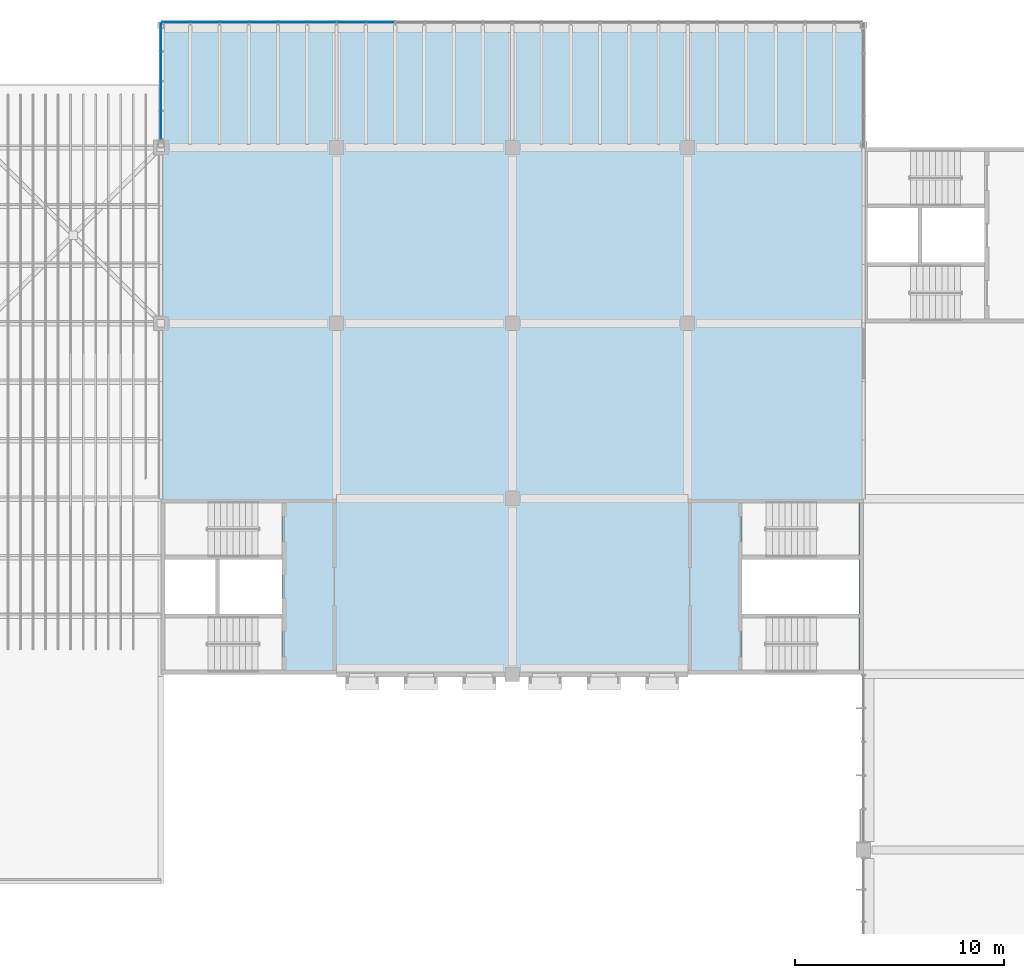
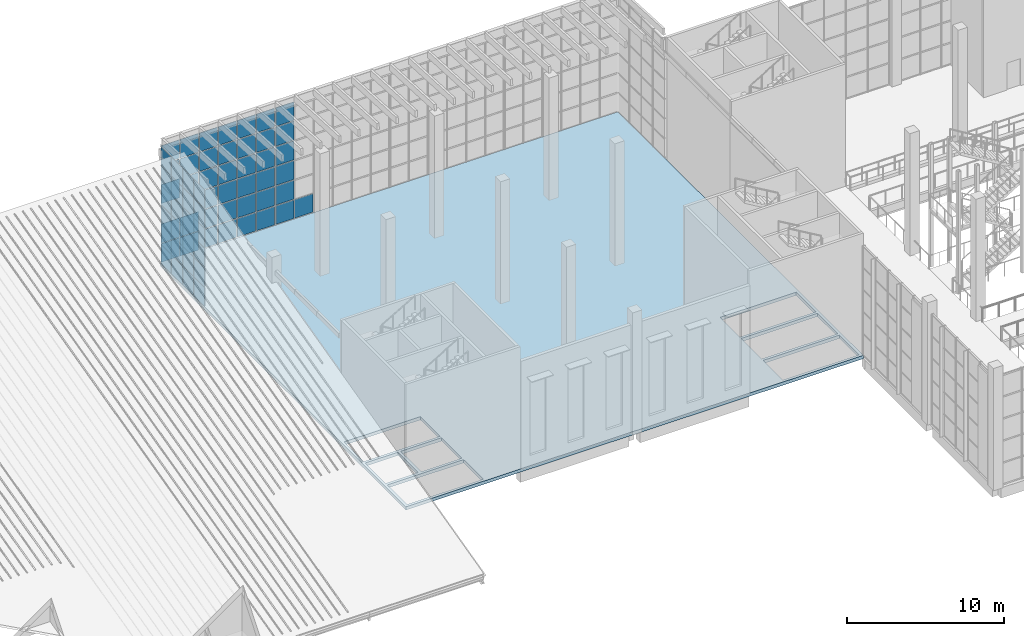
# One storey, part 32 of 114: 67 plates, 1 slab, 3 elements without a shape of their own.
"""IFC4 building model written with IfcOpenShell, lengths in metres."""

from ifc_helpers import new_model, si_unit, direction, frame, origin, origin_2d, place, context, subcontext, project, spatial, polyline, rectangle, outline, extrude, material, layer, layer_set, type_object, element, aggregate, save


model = new_model("IFC4")

# Units and contexts
model_context = context("Model", 3, precision=1e-05, world=origin(), true_north=direction((0.0, 1.0)))
body_context = subcontext(model_context, "Body", "Model", "MODEL_VIEW")
ifc_project = project(units=[si_unit("LENGTHUNIT", "METRE"), si_unit("AREAUNIT", "SQUARE_METRE"), si_unit("VOLUMEUNIT", "CUBIC_METRE"), si_unit("PLANEANGLEUNIT", "RADIAN"), si_unit("MASSUNIT", "GRAM", prefix="KILO")], contexts=[model_context])

# Site, building, storey
site_placement = place(None, origin())
site = spatial("IfcSite", under=ifc_project, at=site_placement, CompositionType="ELEMENT")
building_placement = place(site_placement, origin())
building = spatial("IfcBuilding", under=site, at=building_placement, Name="Almond Square Museum", CompositionType="ELEMENT")
storey_placement = place(building_placement, frame((0.0, 0.0, 10.5)))
storey = spatial("IfcBuildingStorey", under=building, at=storey_placement, Name="L02", CompositionType="ELEMENT", Elevation=10.5)

# Curtain wall, plates
ifc_material_1 = material(Name="Aluminium and laminated glass", Category="aluminium")
curtain_wall_type = type_object("IfcCurtainWallType", Name="Unitised curtain wall 1500 module", PredefinedType="NOTDEFINED", material=ifc_material_1)
curtain_wall_1_placement = place(storey_placement, origin())
curtain_wall_1 = element("IfcCurtainWall", 1, at=curtain_wall_1_placement, inside=storey, type_object=curtain_wall_type, Name="Curtain wall CW-23", PredefinedType="NOTDEFINED")
ifc_material_2 = material(Name="Laminated hurricane-rated glass", Category="glass")
ifc_layer_1 = layer(ifc_material_2, 0.035888671875)
ifc_layer_set_1 = layer_set([ifc_layer_1], Name="Laminated hurricane-rated glass")
plate_type = type_object("IfcPlateType", Name="Laminated glass panel 36", PredefinedType="CURTAIN_PANEL", material=ifc_layer_set_1)
plate_1_placement = place(storey_placement, frame((48.715087890625, 115.199951171875, 0.06005859375), z_axis=(0.0, 0.0, 1.0), x_axis=(1.0, 0.0, 0.0)))
plate_1 = element("IfcPlate", 2, at=plate_1_placement, type_object=plate_type, Name="CW-23 panel 1.1", PredefinedType="CURTAIN_PANEL", context=body_context, shape_type="SweptSolid", body=[
    extrude(rectangle(XDim=1.31005859375, YDim=0.035888671875, at=origin_2d()), origin(), (0.0, 0.0, 1.0), 1.437744140625),
])
plate_2_placement = place(storey_placement, frame((48.715087890625, 115.199951171875, 1.5576171875), z_axis=(0.0, 0.0, 1.0), x_axis=(1.0, 0.0, 0.0)))
plate_2 = element("IfcPlate", 3, at=plate_2_placement, type_object=plate_type, Name="CW-23 panel 1.2", PredefinedType="CURTAIN_PANEL", context=body_context, shape_type="SweptSolid", body=[
    extrude(rectangle(XDim=1.31005859375, YDim=0.035888671875, at=origin_2d()), origin(), (0.0, 0.0, 1.0), 1.4677734375),
])
plate_3_placement = place(storey_placement, frame((48.715087890625, 115.199951171875, 3.08544921875), z_axis=(0.0, 0.0, 1.0), x_axis=(1.0, 0.0, 0.0)))
plate_3 = element("IfcPlate", 4, at=plate_3_placement, type_object=plate_type, Name="CW-23 panel 1.3", PredefinedType="CURTAIN_PANEL", context=body_context, shape_type="SweptSolid", body=[
    extrude(rectangle(XDim=1.31005859375, YDim=0.035888671875, at=origin_2d()), origin(), (0.0, 0.0, 1.0), 1.4677734375),
])
plate_4_placement = place(storey_placement, frame((48.715087890625, 115.199951171875, 4.613037109375), z_axis=(0.0, 0.0, 1.0), x_axis=(1.0, 0.0, 0.0)))
plate_4 = element("IfcPlate", 5, at=plate_4_placement, type_object=plate_type, Name="CW-23 panel 1.4", PredefinedType="CURTAIN_PANEL", context=body_context, shape_type="SweptSolid", body=[
    extrude(rectangle(XDim=1.31005859375, YDim=0.035888671875, at=origin_2d()), origin(), (0.0, 0.0, 1.0), 1.4677734375),
])
plate_5_placement = place(storey_placement, frame((48.715087890625, 115.199951171875, 6.140869140625), z_axis=(0.0, 0.0, 1.0), x_axis=(1.0, 0.0, 0.0)))
plate_5 = element("IfcPlate", 6, at=plate_5_placement, type_object=plate_type, Name="CW-23 panel 1.5", PredefinedType="CURTAIN_PANEL", context=body_context, shape_type="SweptSolid", body=[
    extrude(rectangle(XDim=1.31005859375, YDim=0.035888671875, at=origin_2d()), origin(), (0.0, 0.0, 1.0), 1.4677734375),
])
plate_6_placement = place(storey_placement, frame((48.715087890625, 115.199951171875, 7.66845703125), z_axis=(0.0, 0.0, 1.0), x_axis=(1.0, 0.0, 0.0)))
plate_6 = element("IfcPlate", 7, at=plate_6_placement, type_object=plate_type, Name="CW-23 panel 1.6", PredefinedType="CURTAIN_PANEL", context=body_context, shape_type="SweptSolid", body=[
    extrude(rectangle(XDim=1.31005859375, YDim=0.035888671875, at=origin_2d()), origin(), (0.0, 0.0, 1.0), 1.437744140625),
])
plate_7_placement = place(storey_placement, frame((50.10009765625, 115.199951171875, 0.06005859375), z_axis=(0.0, 0.0, 1.0), x_axis=(1.0, 0.0, 0.0)))
plate_7 = element("IfcPlate", 8, at=plate_7_placement, type_object=plate_type, Name="CW-23 panel 2.1", PredefinedType="CURTAIN_PANEL", context=body_context, shape_type="SweptSolid", body=[
    extrude(rectangle(XDim=1.340087890625, YDim=0.035888671875, at=origin_2d()), origin(), (0.0, 0.0, 1.0), 1.437744140625),
])
aggregate(curtain_wall_1, [plate_1, plate_2, plate_3, plate_4, plate_5, plate_6, plate_7])

curtain_wall_2_placement = place(storey_placement, origin())
curtain_wall_2 = element("IfcCurtainWall", 9, at=curtain_wall_2_placement, inside=storey, type_object=curtain_wall_type, Name="Curtain wall CW-24", PredefinedType="NOTDEFINED")
plate_8_placement = place(storey_placement, frame((40.31494140625, 115.199951171875, 0.06005859375), z_axis=(0.0, 0.0, 1.0), x_axis=(1.0, 0.0, 0.0)))
plate_8 = element("IfcPlate", 10, at=plate_8_placement, type_object=plate_type, Name="CW-24 panel 1.1", PredefinedType="CURTAIN_PANEL", context=body_context, shape_type="SweptSolid", body=[
    extrude(rectangle(XDim=1.31005859375, YDim=0.035888671875, at=origin_2d()), origin(), (0.0, 0.0, 1.0), 1.437744140625),
])
plate_9_placement = place(storey_placement, frame((40.31494140625, 115.199951171875, 1.5576171875), z_axis=(0.0, 0.0, 1.0), x_axis=(1.0, 0.0, 0.0)))
plate_9 = element("IfcPlate", 11, at=plate_9_placement, type_object=plate_type, Name="CW-24 panel 1.2", PredefinedType="CURTAIN_PANEL", context=body_context, shape_type="SweptSolid", body=[
    extrude(rectangle(XDim=1.31005859375, YDim=0.035888671875, at=origin_2d()), origin(), (0.0, 0.0, 1.0), 1.4677734375),
])
plate_10_placement = place(storey_placement, frame((40.31494140625, 115.199951171875, 3.08544921875), z_axis=(0.0, 0.0, 1.0), x_axis=(1.0, 0.0, 0.0)))
plate_10 = element("IfcPlate", 12, at=plate_10_placement, type_object=plate_type, Name="CW-24 panel 1.3", PredefinedType="CURTAIN_PANEL", context=body_context, shape_type="SweptSolid", body=[
    extrude(rectangle(XDim=1.31005859375, YDim=0.035888671875, at=origin_2d()), origin(), (0.0, 0.0, 1.0), 1.4677734375),
])
plate_11_placement = place(storey_placement, frame((40.31494140625, 115.199951171875, 4.613037109375), z_axis=(0.0, 0.0, 1.0), x_axis=(1.0, 0.0, 0.0)))
plate_11 = element("IfcPlate", 13, at=plate_11_placement, type_object=plate_type, Name="CW-24 panel 1.4", PredefinedType="CURTAIN_PANEL", context=body_context, shape_type="SweptSolid", body=[
    extrude(rectangle(XDim=1.31005859375, YDim=0.035888671875, at=origin_2d()), origin(), (0.0, 0.0, 1.0), 1.4677734375),
])
plate_12_placement = place(storey_placement, frame((40.31494140625, 115.199951171875, 6.140869140625), z_axis=(0.0, 0.0, 1.0), x_axis=(1.0, 0.0, 0.0)))
plate_12 = element("IfcPlate", 14, at=plate_12_placement, type_object=plate_type, Name="CW-24 panel 1.5", PredefinedType="CURTAIN_PANEL", context=body_context, shape_type="SweptSolid", body=[
    extrude(rectangle(XDim=1.31005859375, YDim=0.035888671875, at=origin_2d()), origin(), (0.0, 0.0, 1.0), 1.4677734375),
])
plate_13_placement = place(storey_placement, frame((40.31494140625, 115.199951171875, 7.66845703125), z_axis=(0.0, 0.0, 1.0), x_axis=(1.0, 0.0, 0.0)))
plate_13 = element("IfcPlate", 15, at=plate_13_placement, type_object=plate_type, Name="CW-24 panel 1.6", PredefinedType="CURTAIN_PANEL", context=body_context, shape_type="SweptSolid", body=[
    extrude(rectangle(XDim=1.31005859375, YDim=0.035888671875, at=origin_2d()), origin(), (0.0, 0.0, 1.0), 1.437744140625),
])
plate_14_placement = place(storey_placement, frame((41.699951171875, 115.199951171875, 0.06005859375), z_axis=(0.0, 0.0, 1.0), x_axis=(1.0, 0.0, 0.0)))
plate_14 = element("IfcPlate", 16, at=plate_14_placement, type_object=plate_type, Name="CW-24 panel 2.1", PredefinedType="CURTAIN_PANEL", context=body_context, shape_type="SweptSolid", body=[
    extrude(rectangle(XDim=1.340087890625, YDim=0.035888671875, at=origin_2d()), origin(), (0.0, 0.0, 1.0), 1.437744140625),
])
plate_15_placement = place(storey_placement, frame((41.699951171875, 115.199951171875, 1.5576171875), z_axis=(0.0, 0.0, 1.0), x_axis=(1.0, 0.0, 0.0)))
plate_15 = element("IfcPlate", 17, at=plate_15_placement, type_object=plate_type, Name="CW-24 panel 2.2", PredefinedType="CURTAIN_PANEL", context=body_context, shape_type="SweptSolid", body=[
    extrude(rectangle(XDim=1.340087890625, YDim=0.035888671875, at=origin_2d()), origin(), (0.0, 0.0, 1.0), 1.4677734375),
])
plate_16_placement = place(storey_placement, frame((41.699951171875, 115.199951171875, 3.08544921875), z_axis=(0.0, 0.0, 1.0), x_axis=(1.0, 0.0, 0.0)))
plate_16 = element("IfcPlate", 18, at=plate_16_placement, type_object=plate_type, Name="CW-24 panel 2.3", PredefinedType="CURTAIN_PANEL", context=body_context, shape_type="SweptSolid", body=[
    extrude(rectangle(XDim=1.340087890625, YDim=0.035888671875, at=origin_2d()), origin(), (0.0, 0.0, 1.0), 1.4677734375),
])
plate_17_placement = place(storey_placement, frame((41.699951171875, 115.199951171875, 4.613037109375), z_axis=(0.0, 0.0, 1.0), x_axis=(1.0, 0.0, 0.0)))
plate_17 = element("IfcPlate", 19, at=plate_17_placement, type_object=plate_type, Name="CW-24 panel 2.4", PredefinedType="CURTAIN_PANEL", context=body_context, shape_type="SweptSolid", body=[
    extrude(rectangle(XDim=1.340087890625, YDim=0.035888671875, at=origin_2d()), origin(), (0.0, 0.0, 1.0), 1.4677734375),
])
plate_18_placement = place(storey_placement, frame((41.699951171875, 115.199951171875, 6.140869140625), z_axis=(0.0, 0.0, 1.0), x_axis=(1.0, 0.0, 0.0)))
plate_18 = element("IfcPlate", 20, at=plate_18_placement, type_object=plate_type, Name="CW-24 panel 2.5", PredefinedType="CURTAIN_PANEL", context=body_context, shape_type="SweptSolid", body=[
    extrude(rectangle(XDim=1.340087890625, YDim=0.035888671875, at=origin_2d()), origin(), (0.0, 0.0, 1.0), 1.4677734375),
])
plate_19_placement = place(storey_placement, frame((41.699951171875, 115.199951171875, 7.66845703125), z_axis=(0.0, 0.0, 1.0), x_axis=(1.0, 0.0, 0.0)))
plate_19 = element("IfcPlate", 21, at=plate_19_placement, type_object=plate_type, Name="CW-24 panel 2.6", PredefinedType="CURTAIN_PANEL", context=body_context, shape_type="SweptSolid", body=[
    extrude(rectangle(XDim=1.340087890625, YDim=0.035888671875, at=origin_2d()), origin(), (0.0, 0.0, 1.0), 1.437744140625),
])
plate_20_placement = place(storey_placement, frame((43.10009765625, 115.199951171875, 0.06005859375), z_axis=(0.0, 0.0, 1.0), x_axis=(1.0, 0.0, 0.0)))
plate_20 = element("IfcPlate", 22, at=plate_20_placement, type_object=plate_type, Name="CW-24 panel 3.1", PredefinedType="CURTAIN_PANEL", context=body_context, shape_type="SweptSolid", body=[
    extrude(rectangle(XDim=1.340087890625, YDim=0.035888671875, at=origin_2d()), origin(), (0.0, 0.0, 1.0), 1.437744140625),
])
plate_21_placement = place(storey_placement, frame((43.10009765625, 115.199951171875, 1.5576171875), z_axis=(0.0, 0.0, 1.0), x_axis=(1.0, 0.0, 0.0)))
plate_21 = element("IfcPlate", 23, at=plate_21_placement, type_object=plate_type, Name="CW-24 panel 3.2", PredefinedType="CURTAIN_PANEL", context=body_context, shape_type="SweptSolid", body=[
    extrude(rectangle(XDim=1.340087890625, YDim=0.035888671875, at=origin_2d()), origin(), (0.0, 0.0, 1.0), 1.4677734375),
])
plate_22_placement = place(storey_placement, frame((43.10009765625, 115.199951171875, 3.08544921875), z_axis=(0.0, 0.0, 1.0), x_axis=(1.0, 0.0, 0.0)))
plate_22 = element("IfcPlate", 24, at=plate_22_placement, type_object=plate_type, Name="CW-24 panel 3.3", PredefinedType="CURTAIN_PANEL", context=body_context, shape_type="SweptSolid", body=[
    extrude(rectangle(XDim=1.340087890625, YDim=0.035888671875, at=origin_2d()), origin(), (0.0, 0.0, 1.0), 1.4677734375),
])
plate_23_placement = place(storey_placement, frame((43.10009765625, 115.199951171875, 4.613037109375), z_axis=(0.0, 0.0, 1.0), x_axis=(1.0, 0.0, 0.0)))
plate_23 = element("IfcPlate", 25, at=plate_23_placement, type_object=plate_type, Name="CW-24 panel 3.4", PredefinedType="CURTAIN_PANEL", context=body_context, shape_type="SweptSolid", body=[
    extrude(rectangle(XDim=1.340087890625, YDim=0.035888671875, at=origin_2d()), origin(), (0.0, 0.0, 1.0), 1.4677734375),
])
plate_24_placement = place(storey_placement, frame((43.10009765625, 115.199951171875, 6.140869140625), z_axis=(0.0, 0.0, 1.0), x_axis=(1.0, 0.0, 0.0)))
plate_24 = element("IfcPlate", 26, at=plate_24_placement, type_object=plate_type, Name="CW-24 panel 3.5", PredefinedType="CURTAIN_PANEL", context=body_context, shape_type="SweptSolid", body=[
    extrude(rectangle(XDim=1.340087890625, YDim=0.035888671875, at=origin_2d()), origin(), (0.0, 0.0, 1.0), 1.4677734375),
])
plate_25_placement = place(storey_placement, frame((43.10009765625, 115.199951171875, 7.66845703125), z_axis=(0.0, 0.0, 1.0), x_axis=(1.0, 0.0, 0.0)))
plate_25 = element("IfcPlate", 27, at=plate_25_placement, type_object=plate_type, Name="CW-24 panel 3.6", PredefinedType="CURTAIN_PANEL", context=body_context, shape_type="SweptSolid", body=[
    extrude(rectangle(XDim=1.340087890625, YDim=0.035888671875, at=origin_2d()), origin(), (0.0, 0.0, 1.0), 1.437744140625),
])
plate_26_placement = place(storey_placement, frame((44.5, 115.199951171875, 0.06005859375), z_axis=(0.0, 0.0, 1.0), x_axis=(1.0, 0.0, 0.0)))
plate_26 = element("IfcPlate", 28, at=plate_26_placement, type_object=plate_type, Name="CW-24 panel 4.1", PredefinedType="CURTAIN_PANEL", context=body_context, shape_type="SweptSolid", body=[
    extrude(rectangle(XDim=1.340087890625, YDim=0.035888671875, at=origin_2d()), origin(), (0.0, 0.0, 1.0), 1.437744140625),
])
plate_27_placement = place(storey_placement, frame((44.5, 115.199951171875, 1.5576171875), z_axis=(0.0, 0.0, 1.0), x_axis=(1.0, 0.0, 0.0)))
plate_27 = element("IfcPlate", 29, at=plate_27_placement, type_object=plate_type, Name="CW-24 panel 4.2", PredefinedType="CURTAIN_PANEL", context=body_context, shape_type="SweptSolid", body=[
    extrude(rectangle(XDim=1.340087890625, YDim=0.035888671875, at=origin_2d()), origin(), (0.0, 0.0, 1.0), 1.4677734375),
])
plate_28_placement = place(storey_placement, frame((44.5, 115.199951171875, 3.08544921875), z_axis=(0.0, 0.0, 1.0), x_axis=(1.0, 0.0, 0.0)))
plate_28 = element("IfcPlate", 30, at=plate_28_placement, type_object=plate_type, Name="CW-24 panel 4.3", PredefinedType="CURTAIN_PANEL", context=body_context, shape_type="SweptSolid", body=[
    extrude(rectangle(XDim=1.340087890625, YDim=0.035888671875, at=origin_2d()), origin(), (0.0, 0.0, 1.0), 1.4677734375),
])
plate_29_placement = place(storey_placement, frame((44.5, 115.199951171875, 4.613037109375), z_axis=(0.0, 0.0, 1.0), x_axis=(1.0, 0.0, 0.0)))
plate_29 = element("IfcPlate", 31, at=plate_29_placement, type_object=plate_type, Name="CW-24 panel 4.4", PredefinedType="CURTAIN_PANEL", context=body_context, shape_type="SweptSolid", body=[
    extrude(rectangle(XDim=1.340087890625, YDim=0.035888671875, at=origin_2d()), origin(), (0.0, 0.0, 1.0), 1.4677734375),
])
plate_30_placement = place(storey_placement, frame((44.5, 115.199951171875, 6.140869140625), z_axis=(0.0, 0.0, 1.0), x_axis=(1.0, 0.0, 0.0)))
plate_30 = element("IfcPlate", 32, at=plate_30_placement, type_object=plate_type, Name="CW-24 panel 4.5", PredefinedType="CURTAIN_PANEL", context=body_context, shape_type="SweptSolid", body=[
    extrude(rectangle(XDim=1.340087890625, YDim=0.035888671875, at=origin_2d()), origin(), (0.0, 0.0, 1.0), 1.4677734375),
])
plate_31_placement = place(storey_placement, frame((44.5, 115.199951171875, 7.66845703125), z_axis=(0.0, 0.0, 1.0), x_axis=(1.0, 0.0, 0.0)))
plate_31 = element("IfcPlate", 33, at=plate_31_placement, type_object=plate_type, Name="CW-24 panel 4.6", PredefinedType="CURTAIN_PANEL", context=body_context, shape_type="SweptSolid", body=[
    extrude(rectangle(XDim=1.340087890625, YDim=0.035888671875, at=origin_2d()), origin(), (0.0, 0.0, 1.0), 1.437744140625),
])
plate_32_placement = place(storey_placement, frame((45.89990234375, 115.199951171875, 0.06005859375), z_axis=(0.0, 0.0, 1.0), x_axis=(1.0, 0.0, 0.0)))
plate_32 = element("IfcPlate", 34, at=plate_32_placement, type_object=plate_type, Name="CW-24 panel 5.1", PredefinedType="CURTAIN_PANEL", context=body_context, shape_type="SweptSolid", body=[
    extrude(rectangle(XDim=1.340087890625, YDim=0.035888671875, at=origin_2d()), origin(), (0.0, 0.0, 1.0), 1.437744140625),
])
plate_33_placement = place(storey_placement, frame((45.89990234375, 115.199951171875, 1.5576171875), z_axis=(0.0, 0.0, 1.0), x_axis=(1.0, 0.0, 0.0)))
plate_33 = element("IfcPlate", 35, at=plate_33_placement, type_object=plate_type, Name="CW-24 panel 5.2", PredefinedType="CURTAIN_PANEL", context=body_context, shape_type="SweptSolid", body=[
    extrude(rectangle(XDim=1.340087890625, YDim=0.035888671875, at=origin_2d()), origin(), (0.0, 0.0, 1.0), 1.4677734375),
])
plate_34_placement = place(storey_placement, frame((45.89990234375, 115.199951171875, 3.08544921875), z_axis=(0.0, 0.0, 1.0), x_axis=(1.0, 0.0, 0.0)))
plate_34 = element("IfcPlate", 36, at=plate_34_placement, type_object=plate_type, Name="CW-24 panel 5.3", PredefinedType="CURTAIN_PANEL", context=body_context, shape_type="SweptSolid", body=[
    extrude(rectangle(XDim=1.340087890625, YDim=0.035888671875, at=origin_2d()), origin(), (0.0, 0.0, 1.0), 1.4677734375),
])
plate_35_placement = place(storey_placement, frame((45.89990234375, 115.199951171875, 4.613037109375), z_axis=(0.0, 0.0, 1.0), x_axis=(1.0, 0.0, 0.0)))
plate_35 = element("IfcPlate", 37, at=plate_35_placement, type_object=plate_type, Name="CW-24 panel 5.4", PredefinedType="CURTAIN_PANEL", context=body_context, shape_type="SweptSolid", body=[
    extrude(rectangle(XDim=1.340087890625, YDim=0.035888671875, at=origin_2d()), origin(), (0.0, 0.0, 1.0), 1.4677734375),
])
plate_36_placement = place(storey_placement, frame((45.89990234375, 115.199951171875, 6.140869140625), z_axis=(0.0, 0.0, 1.0), x_axis=(1.0, 0.0, 0.0)))
plate_36 = element("IfcPlate", 38, at=plate_36_placement, type_object=plate_type, Name="CW-24 panel 5.5", PredefinedType="CURTAIN_PANEL", context=body_context, shape_type="SweptSolid", body=[
    extrude(rectangle(XDim=1.340087890625, YDim=0.035888671875, at=origin_2d()), origin(), (0.0, 0.0, 1.0), 1.4677734375),
])
plate_37_placement = place(storey_placement, frame((45.89990234375, 115.199951171875, 7.66845703125), z_axis=(0.0, 0.0, 1.0), x_axis=(1.0, 0.0, 0.0)))
plate_37 = element("IfcPlate", 39, at=plate_37_placement, type_object=plate_type, Name="CW-24 panel 5.6", PredefinedType="CURTAIN_PANEL", context=body_context, shape_type="SweptSolid", body=[
    extrude(rectangle(XDim=1.340087890625, YDim=0.035888671875, at=origin_2d()), origin(), (0.0, 0.0, 1.0), 1.437744140625),
])
plate_38_placement = place(storey_placement, frame((47.284912109375, 115.199951171875, 0.06005859375), z_axis=(0.0, 0.0, 1.0), x_axis=(1.0, 0.0, 0.0)))
plate_38 = element("IfcPlate", 40, at=plate_38_placement, type_object=plate_type, Name="CW-24 panel 6.1", PredefinedType="CURTAIN_PANEL", context=body_context, shape_type="SweptSolid", body=[
    extrude(rectangle(XDim=1.31005859375, YDim=0.035888671875, at=origin_2d()), origin(), (0.0, 0.0, 1.0), 1.437744140625),
])
plate_39_placement = place(storey_placement, frame((47.284912109375, 115.199951171875, 1.5576171875), z_axis=(0.0, 0.0, 1.0), x_axis=(1.0, 0.0, 0.0)))
plate_39 = element("IfcPlate", 41, at=plate_39_placement, type_object=plate_type, Name="CW-24 panel 6.2", PredefinedType="CURTAIN_PANEL", context=body_context, shape_type="SweptSolid", body=[
    extrude(rectangle(XDim=1.31005859375, YDim=0.035888671875, at=origin_2d()), origin(), (0.0, 0.0, 1.0), 1.4677734375),
])
plate_40_placement = place(storey_placement, frame((47.284912109375, 115.199951171875, 3.08544921875), z_axis=(0.0, 0.0, 1.0), x_axis=(1.0, 0.0, 0.0)))
plate_40 = element("IfcPlate", 42, at=plate_40_placement, type_object=plate_type, Name="CW-24 panel 6.3", PredefinedType="CURTAIN_PANEL", context=body_context, shape_type="SweptSolid", body=[
    extrude(rectangle(XDim=1.31005859375, YDim=0.035888671875, at=origin_2d()), origin(), (0.0, 0.0, 1.0), 1.4677734375),
])
plate_41_placement = place(storey_placement, frame((47.284912109375, 115.199951171875, 4.613037109375), z_axis=(0.0, 0.0, 1.0), x_axis=(1.0, 0.0, 0.0)))
plate_41 = element("IfcPlate", 43, at=plate_41_placement, type_object=plate_type, Name="CW-24 panel 6.4", PredefinedType="CURTAIN_PANEL", context=body_context, shape_type="SweptSolid", body=[
    extrude(rectangle(XDim=1.31005859375, YDim=0.035888671875, at=origin_2d()), origin(), (0.0, 0.0, 1.0), 1.4677734375),
])
plate_42_placement = place(storey_placement, frame((47.284912109375, 115.199951171875, 6.140869140625), z_axis=(0.0, 0.0, 1.0), x_axis=(1.0, 0.0, 0.0)))
plate_42 = element("IfcPlate", 44, at=plate_42_placement, type_object=plate_type, Name="CW-24 panel 6.5", PredefinedType="CURTAIN_PANEL", context=body_context, shape_type="SweptSolid", body=[
    extrude(rectangle(XDim=1.31005859375, YDim=0.035888671875, at=origin_2d()), origin(), (0.0, 0.0, 1.0), 1.4677734375),
])
plate_43_placement = place(storey_placement, frame((47.284912109375, 115.199951171875, 7.66845703125), z_axis=(0.0, 0.0, 1.0), x_axis=(1.0, 0.0, 0.0)))
plate_43 = element("IfcPlate", 45, at=plate_43_placement, type_object=plate_type, Name="CW-24 panel 6.6", PredefinedType="CURTAIN_PANEL", context=body_context, shape_type="SweptSolid", body=[
    extrude(rectangle(XDim=1.31005859375, YDim=0.035888671875, at=origin_2d()), origin(), (0.0, 0.0, 1.0), 1.437744140625),
])
aggregate(curtain_wall_2, [plate_8, plate_9, plate_10, plate_11, plate_12, plate_13, plate_14, plate_15, plate_16, plate_17, plate_18, plate_19, plate_20, plate_21, plate_22, plate_23, plate_24, plate_25, plate_26, plate_27, plate_28, plate_29, plate_30, plate_31, plate_32, plate_33, plate_34, plate_35, plate_36, plate_37, plate_38, plate_39, plate_40, plate_41, plate_42, plate_43])

curtain_wall_3_placement = place(storey_placement, origin())
curtain_wall_3 = element("IfcCurtainWall", 46, at=curtain_wall_3_placement, inside=storey, type_object=curtain_wall_type, Name="Curtain wall CW-25", PredefinedType="NOTDEFINED")
plate_44_placement = place(storey_placement, frame((39.60009765625, 110.271240234375, 0.06005859375), z_axis=(0.0, 0.0, 1.0), x_axis=(0.0, 1.0, 0.0)))
plate_44 = element("IfcPlate", 47, at=plate_44_placement, type_object=plate_type, Name="CW-25 panel 1.1", PredefinedType="CURTAIN_PANEL", context=body_context, shape_type="SweptSolid", body=[
    extrude(rectangle(XDim=1.322509765625, YDim=0.035888671875, at=origin_2d()), origin(), (0.0, 0.0, 1.0), 1.437744140625),
])
plate_45_placement = place(storey_placement, frame((39.60009765625, 110.271240234375, 1.5576171875), z_axis=(0.0, 0.0, 1.0), x_axis=(0.0, 1.0, 0.0)))
plate_45 = element("IfcPlate", 48, at=plate_45_placement, type_object=plate_type, Name="CW-25 panel 1.2", PredefinedType="CURTAIN_PANEL", context=body_context, shape_type="SweptSolid", body=[
    extrude(rectangle(XDim=1.322509765625, YDim=0.035888671875, at=origin_2d()), origin(), (0.0, 0.0, 1.0), 1.4677734375),
])
plate_46_placement = place(storey_placement, frame((39.60009765625, 110.271240234375, 3.08544921875), z_axis=(0.0, 0.0, 1.0), x_axis=(0.0, 1.0, 0.0)))
plate_46 = element("IfcPlate", 49, at=plate_46_placement, type_object=plate_type, Name="CW-25 panel 1.3", PredefinedType="CURTAIN_PANEL", context=body_context, shape_type="SweptSolid", body=[
    extrude(rectangle(XDim=1.322509765625, YDim=0.035888671875, at=origin_2d()), origin(), (0.0, 0.0, 1.0), 1.4677734375),
])
plate_47_placement = place(storey_placement, frame((39.60009765625, 110.271240234375, 4.613037109375), z_axis=(0.0, 0.0, 1.0), x_axis=(0.0, 1.0, 0.0)))
plate_47 = element("IfcPlate", 50, at=plate_47_placement, type_object=plate_type, Name="CW-25 panel 1.4", PredefinedType="CURTAIN_PANEL", context=body_context, shape_type="SweptSolid", body=[
    extrude(rectangle(XDim=1.322509765625, YDim=0.035888671875, at=origin_2d()), origin(), (0.0, 0.0, 1.0), 1.4677734375),
])
plate_48_placement = place(storey_placement, frame((39.60009765625, 110.271240234375, 6.140869140625), z_axis=(0.0, 0.0, 1.0), x_axis=(0.0, 1.0, 0.0)))
plate_48 = element("IfcPlate", 51, at=plate_48_placement, type_object=plate_type, Name="CW-25 panel 1.5", PredefinedType="CURTAIN_PANEL", context=body_context, shape_type="SweptSolid", body=[
    extrude(rectangle(XDim=1.322509765625, YDim=0.035888671875, at=origin_2d()), origin(), (0.0, 0.0, 1.0), 1.4677734375),
])
plate_49_placement = place(storey_placement, frame((39.60009765625, 110.271240234375, 7.66845703125), z_axis=(0.0, 0.0, 1.0), x_axis=(0.0, 1.0, 0.0)))
plate_49 = element("IfcPlate", 52, at=plate_49_placement, type_object=plate_type, Name="CW-25 panel 1.6", PredefinedType="CURTAIN_PANEL", context=body_context, shape_type="SweptSolid", body=[
    extrude(rectangle(XDim=1.322509765625, YDim=0.035888671875, at=origin_2d()), origin(), (0.0, 0.0, 1.0), 1.437744140625),
])
plate_50_placement = place(storey_placement, frame((39.60009765625, 111.668701171875, 0.06005859375), z_axis=(0.0, 0.0, 1.0), x_axis=(0.0, 1.0, 0.0)))
plate_50 = element("IfcPlate", 53, at=plate_50_placement, type_object=plate_type, Name="CW-25 panel 2.1", PredefinedType="CURTAIN_PANEL", context=body_context, shape_type="SweptSolid", body=[
    extrude(rectangle(XDim=1.3525390625, YDim=0.035888671875, at=origin_2d()), origin(), (0.0, 0.0, 1.0), 1.437744140625),
])
plate_51_placement = place(storey_placement, frame((39.60009765625, 111.668701171875, 1.5576171875), z_axis=(0.0, 0.0, 1.0), x_axis=(0.0, 1.0, 0.0)))
plate_51 = element("IfcPlate", 54, at=plate_51_placement, type_object=plate_type, Name="CW-25 panel 2.2", PredefinedType="CURTAIN_PANEL", context=body_context, shape_type="SweptSolid", body=[
    extrude(rectangle(XDim=1.3525390625, YDim=0.035888671875, at=origin_2d()), origin(), (0.0, 0.0, 1.0), 1.4677734375),
])
plate_52_placement = place(storey_placement, frame((39.60009765625, 111.668701171875, 3.08544921875), z_axis=(0.0, 0.0, 1.0), x_axis=(0.0, 1.0, 0.0)))
plate_52 = element("IfcPlate", 55, at=plate_52_placement, type_object=plate_type, Name="CW-25 panel 2.3", PredefinedType="CURTAIN_PANEL", context=body_context, shape_type="SweptSolid", body=[
    extrude(rectangle(XDim=1.3525390625, YDim=0.035888671875, at=origin_2d()), origin(), (0.0, 0.0, 1.0), 1.4677734375),
])
plate_53_placement = place(storey_placement, frame((39.60009765625, 111.668701171875, 4.613037109375), z_axis=(0.0, 0.0, 1.0), x_axis=(0.0, 1.0, 0.0)))
plate_53 = element("IfcPlate", 56, at=plate_53_placement, type_object=plate_type, Name="CW-25 panel 2.4", PredefinedType="CURTAIN_PANEL", context=body_context, shape_type="SweptSolid", body=[
    extrude(rectangle(XDim=1.3525390625, YDim=0.035888671875, at=origin_2d()), origin(), (0.0, 0.0, 1.0), 1.4677734375),
])
plate_54_placement = place(storey_placement, frame((39.60009765625, 111.668701171875, 6.140869140625), z_axis=(0.0, 0.0, 1.0), x_axis=(0.0, 1.0, 0.0)))
plate_54 = element("IfcPlate", 57, at=plate_54_placement, type_object=plate_type, Name="CW-25 panel 2.5", PredefinedType="CURTAIN_PANEL", context=body_context, shape_type="SweptSolid", body=[
    extrude(rectangle(XDim=1.3525390625, YDim=0.035888671875, at=origin_2d()), origin(), (0.0, 0.0, 1.0), 1.4677734375),
])
plate_55_placement = place(storey_placement, frame((39.60009765625, 111.668701171875, 7.66845703125), z_axis=(0.0, 0.0, 1.0), x_axis=(0.0, 1.0, 0.0)))
plate_55 = element("IfcPlate", 58, at=plate_55_placement, type_object=plate_type, Name="CW-25 panel 2.6", PredefinedType="CURTAIN_PANEL", context=body_context, shape_type="SweptSolid", body=[
    extrude(rectangle(XDim=1.3525390625, YDim=0.035888671875, at=origin_2d()), origin(), (0.0, 0.0, 1.0), 1.437744140625),
])
plate_56_placement = place(storey_placement, frame((39.60009765625, 113.081298828125, 0.06005859375), z_axis=(0.0, 0.0, 1.0), x_axis=(0.0, 1.0, 0.0)))
plate_56 = element("IfcPlate", 59, at=plate_56_placement, type_object=plate_type, Name="CW-25 panel 3.1", PredefinedType="CURTAIN_PANEL", context=body_context, shape_type="SweptSolid", body=[
    extrude(rectangle(XDim=1.3525390625, YDim=0.035888671875, at=origin_2d()), origin(), (0.0, 0.0, 1.0), 1.437744140625),
])
plate_57_placement = place(storey_placement, frame((39.60009765625, 113.081298828125, 1.5576171875), z_axis=(0.0, 0.0, 1.0), x_axis=(0.0, 1.0, 0.0)))
plate_57 = element("IfcPlate", 60, at=plate_57_placement, type_object=plate_type, Name="CW-25 panel 3.2", PredefinedType="CURTAIN_PANEL", context=body_context, shape_type="SweptSolid", body=[
    extrude(rectangle(XDim=1.3525390625, YDim=0.035888671875, at=origin_2d()), origin(), (0.0, 0.0, 1.0), 1.4677734375),
])
plate_58_placement = place(storey_placement, frame((39.60009765625, 113.081298828125, 3.08544921875), z_axis=(0.0, 0.0, 1.0), x_axis=(0.0, 1.0, 0.0)))
plate_58 = element("IfcPlate", 61, at=plate_58_placement, type_object=plate_type, Name="CW-25 panel 3.3", PredefinedType="CURTAIN_PANEL", context=body_context, shape_type="SweptSolid", body=[
    extrude(rectangle(XDim=1.3525390625, YDim=0.035888671875, at=origin_2d()), origin(), (0.0, 0.0, 1.0), 1.4677734375),
])
plate_59_placement = place(storey_placement, frame((39.60009765625, 113.081298828125, 4.613037109375), z_axis=(0.0, 0.0, 1.0), x_axis=(0.0, 1.0, 0.0)))
plate_59 = element("IfcPlate", 62, at=plate_59_placement, type_object=plate_type, Name="CW-25 panel 3.4", PredefinedType="CURTAIN_PANEL", context=body_context, shape_type="SweptSolid", body=[
    extrude(rectangle(XDim=1.3525390625, YDim=0.035888671875, at=origin_2d()), origin(), (0.0, 0.0, 1.0), 1.4677734375),
])
plate_60_placement = place(storey_placement, frame((39.60009765625, 113.081298828125, 6.140869140625), z_axis=(0.0, 0.0, 1.0), x_axis=(0.0, 1.0, 0.0)))
plate_60 = element("IfcPlate", 63, at=plate_60_placement, type_object=plate_type, Name="CW-25 panel 3.5", PredefinedType="CURTAIN_PANEL", context=body_context, shape_type="SweptSolid", body=[
    extrude(rectangle(XDim=1.3525390625, YDim=0.035888671875, at=origin_2d()), origin(), (0.0, 0.0, 1.0), 1.4677734375),
])
plate_61_placement = place(storey_placement, frame((39.60009765625, 113.081298828125, 7.66845703125), z_axis=(0.0, 0.0, 1.0), x_axis=(0.0, 1.0, 0.0)))
plate_61 = element("IfcPlate", 64, at=plate_61_placement, type_object=plate_type, Name="CW-25 panel 3.6", PredefinedType="CURTAIN_PANEL", context=body_context, shape_type="SweptSolid", body=[
    extrude(rectangle(XDim=1.3525390625, YDim=0.035888671875, at=origin_2d()), origin(), (0.0, 0.0, 1.0), 1.437744140625),
])
plate_62_placement = place(storey_placement, frame((39.60009765625, 114.478759765625, 0.06005859375), z_axis=(0.0, 0.0, 1.0), x_axis=(0.0, 1.0, 0.0)))
plate_62 = element("IfcPlate", 65, at=plate_62_placement, type_object=plate_type, Name="CW-25 panel 4.1", PredefinedType="CURTAIN_PANEL", context=body_context, shape_type="SweptSolid", body=[
    extrude(rectangle(XDim=1.322509765625, YDim=0.035888671875, at=origin_2d()), origin(), (0.0, 0.0, 1.0), 1.437744140625),
])
plate_63_placement = place(storey_placement, frame((39.60009765625, 114.478759765625, 1.5576171875), z_axis=(0.0, 0.0, 1.0), x_axis=(0.0, 1.0, 0.0)))
plate_63 = element("IfcPlate", 66, at=plate_63_placement, type_object=plate_type, Name="CW-25 panel 4.2", PredefinedType="CURTAIN_PANEL", context=body_context, shape_type="SweptSolid", body=[
    extrude(rectangle(XDim=1.322509765625, YDim=0.035888671875, at=origin_2d()), origin(), (0.0, 0.0, 1.0), 1.4677734375),
])
plate_64_placement = place(storey_placement, frame((39.60009765625, 114.478759765625, 3.08544921875), z_axis=(0.0, 0.0, 1.0), x_axis=(0.0, 1.0, 0.0)))
plate_64 = element("IfcPlate", 67, at=plate_64_placement, type_object=plate_type, Name="CW-25 panel 4.3", PredefinedType="CURTAIN_PANEL", context=body_context, shape_type="SweptSolid", body=[
    extrude(rectangle(XDim=1.322509765625, YDim=0.035888671875, at=origin_2d()), origin(), (0.0, 0.0, 1.0), 1.4677734375),
])
plate_65_placement = place(storey_placement, frame((39.60009765625, 114.478759765625, 4.613037109375), z_axis=(0.0, 0.0, 1.0), x_axis=(0.0, 1.0, 0.0)))
plate_65 = element("IfcPlate", 68, at=plate_65_placement, type_object=plate_type, Name="CW-25 panel 4.4", PredefinedType="CURTAIN_PANEL", context=body_context, shape_type="SweptSolid", body=[
    extrude(rectangle(XDim=1.322509765625, YDim=0.035888671875, at=origin_2d()), origin(), (0.0, 0.0, 1.0), 1.4677734375),
])
plate_66_placement = place(storey_placement, frame((39.60009765625, 114.478759765625, 6.140869140625), z_axis=(0.0, 0.0, 1.0), x_axis=(0.0, 1.0, 0.0)))
plate_66 = element("IfcPlate", 69, at=plate_66_placement, type_object=plate_type, Name="CW-25 panel 4.5", PredefinedType="CURTAIN_PANEL", context=body_context, shape_type="SweptSolid", body=[
    extrude(rectangle(XDim=1.322509765625, YDim=0.035888671875, at=origin_2d()), origin(), (0.0, 0.0, 1.0), 1.4677734375),
])
plate_67_placement = place(storey_placement, frame((39.60009765625, 114.478759765625, 7.66845703125), z_axis=(0.0, 0.0, 1.0), x_axis=(0.0, 1.0, 0.0)))
plate_67 = element("IfcPlate", 70, at=plate_67_placement, type_object=plate_type, Name="CW-25 panel 4.6", PredefinedType="CURTAIN_PANEL", context=body_context, shape_type="SweptSolid", body=[
    extrude(rectangle(XDim=1.322509765625, YDim=0.035888671875, at=origin_2d()), origin(), (0.0, 0.0, 1.0), 1.437744140625),
])
aggregate(curtain_wall_3, [plate_44, plate_45, plate_46, plate_47, plate_48, plate_49, plate_50, plate_51, plate_52, plate_53, plate_54, plate_55, plate_56, plate_57, plate_58, plate_59, plate_60, plate_61, plate_62, plate_63, plate_64, plate_65, plate_66, plate_67])

# Slab
ifc_material_3 = material(Name="Concrete C40/50", Category="concrete")
ifc_layer_2 = layer(ifc_material_3, 0.25)
ifc_layer_set_2 = layer_set([ifc_layer_2], Name="Concrete C40/50")
slab_type = type_object("IfcSlabType", Name="RC floor slab 250 C40/50", PredefinedType="FLOOR", material=ifc_layer_set_2)
slab_placement = place(storey_placement, frame((0.0, 0.0, -0.25)))
element("IfcSlab", 71, at=slab_placement, inside=storey, type_object=slab_type, Name="Floor slab L02 V4N", PredefinedType="FLOOR", context=body_context, shape_type="SweptSolid", body=[
    extrude(outline(polyline([(73.199951171875, 109.199951171875), (73.199951171875, 84.0), (39.60009765625, 84.0), (39.60009765625, 109.199951171875), (39.60009765625, 115.199951171875), (73.199951171875, 115.199951171875), (73.199951171875, 109.199951171875)]), holes=[polyline([(73.0, 84.199951171875), (73.0, 86.699951171875), (67.39990234375, 86.699951171875), (67.39990234375, 84.199951171875), (73.0, 84.199951171875)]), polyline([(39.800048828125, 84.199951171875), (45.39990234375, 84.199951171875), (45.39990234375, 86.699951171875), (39.800048828125, 86.699951171875), (39.800048828125, 84.199951171875)]), polyline([(42.39990234375, 86.89990234375), (45.39990234375, 86.89990234375), (45.39990234375, 89.5), (42.39990234375, 89.5), (42.39990234375, 86.89990234375)]), polyline([(42.199951171875, 86.89990234375), (42.199951171875, 89.5), (39.800048828125, 89.5), (39.800048828125, 86.89990234375), (42.199951171875, 86.89990234375)]), polyline([(39.800048828125, 89.699951171875), (45.39990234375, 89.699951171875), (45.39990234375, 92.199951171875), (39.800048828125, 92.199951171875), (39.800048828125, 89.699951171875)]), polyline([(67.39990234375, 86.89990234375), (73.0, 86.89990234375), (73.0, 89.5), (67.39990234375, 89.5), (67.39990234375, 86.89990234375)]), polyline([(73.0, 89.699951171875), (73.0, 92.199951171875), (67.39990234375, 92.199951171875), (67.39990234375, 89.699951171875), (73.0, 89.699951171875)])]), origin(), (0.0, 0.0, 1.0), 0.25),
])

save(model, "model.ifc")
